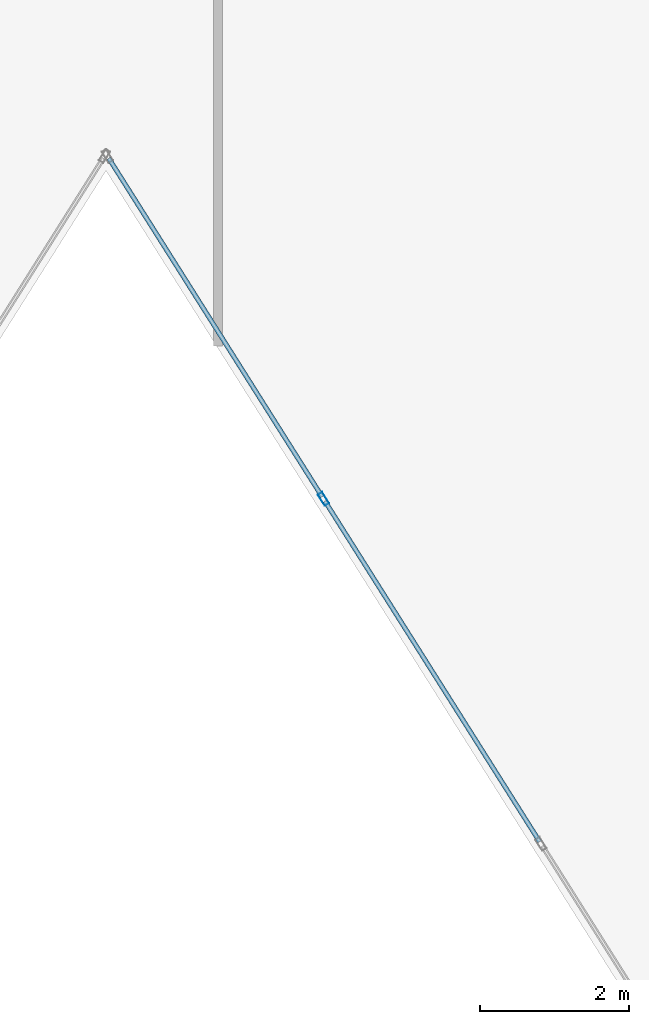
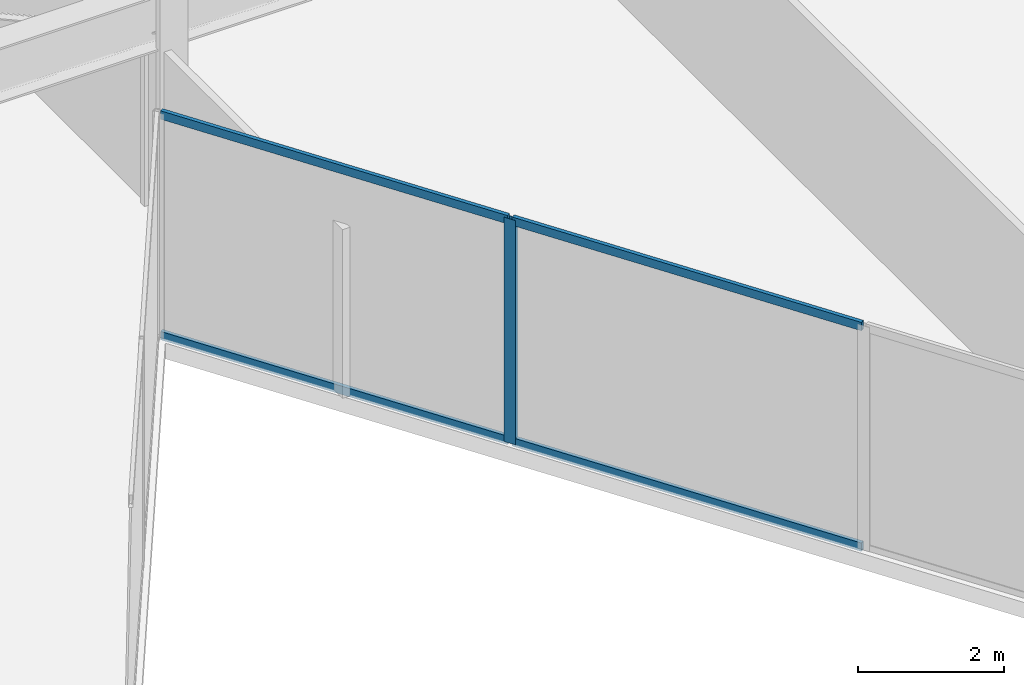
# One storey, part 15 of 24: 5 members, 1 element without a shape of its own.
"""IFC4 building model written with IfcOpenShell, lengths in metres."""

import ifcopenshell
import ifcopenshell.guid

model = None  # the IFC model being written
_history = None  # IfcOwnerHistory: only IFC2X3 demands one
_inside = {}  # id of a spatial element -> (the spatial element, [elements in it])
_under = {}  # id of a project, library or spatial element -> (it, [spatial elements below it])
_declared = {}  # id of a project -> (the project, [libraries it declares])
_typed = {}  # id of a type object -> (the type object, [elements of that type])
_made_of = {}  # id of a material, layer set ... -> (it, [elements and type objects made of it])


def new_model(schema):
    """Start an empty IFC model of exactly this schema.

    Asked for "IFC4X3", IfcOpenShell would pick the latest addendum, in which some entities
    have other attributes; the version numbers below select the first issue.
    IFC2X3 requires an IfcOwnerHistory on every rooted entity: one is made here for all.
    """
    global model, _history
    if schema == "IFC4X3":
        model = ifcopenshell.file(schema_version=(4, 3, 0, 0))
    else:
        model = ifcopenshell.file(schema=schema)
    _inside.clear()
    _under.clear()
    _declared.clear()
    _typed.clear()
    _made_of.clear()
    _history = None
    if model.schema == "IFC2X3":
        org = make("IfcOrganization", Name="unknown")
        user = make(
            "IfcPersonAndOrganization",
            ThePerson=make("IfcPerson", FamilyName="unknown"),
            TheOrganization=org,
        )
        app = make(
            "IfcApplication",
            ApplicationDeveloper=org,
            Version="unknown",
            ApplicationFullName="unknown",
            ApplicationIdentifier="unknown",
        )
        _history = make(
            "IfcOwnerHistory",
            OwningUser=user,
            OwningApplication=app,
            ChangeAction="ADDED",
            CreationDate=0,
        )
    return model


def make(cls, **values):
    """One entity of the class cls with the attributes given. An attribute that is None is left unset."""
    return model.create_entity(
        cls, **{name: value for name, value in values.items() if value is not None}
    )


def rooted(cls, **values):
    """An entity with a GlobalId (a new one), such as an element, a storey or a relation."""
    return make(cls, GlobalId=ifcopenshell.guid.new(), OwnerHistory=_history, **values)


def si_unit(unit_type, name, prefix=None):
    """IfcSIUnit, for example si_unit("LENGTHUNIT", "METRE", prefix="MILLI")."""
    return make("IfcSIUnit", UnitType=unit_type, Prefix=prefix, Name=name)


def assignment(units):
    """IfcUnitAssignment: the units of a project."""
    return None if units is None else make("IfcUnitAssignment", Units=units)


def point(xyz):
    """IfcCartesianPoint."""
    return None if xyz is None else make("IfcCartesianPoint", Coordinates=xyz)


def direction(xyz):
    """IfcDirection."""
    return None if xyz is None else make("IfcDirection", DirectionRatios=xyz)


def frame(location, z_axis=None, x_axis=None):
    """IfcAxis2Placement3D, a coordinate frame: its origin and axes. An axis left out is left unset."""
    return make(
        "IfcAxis2Placement3D",
        Location=point(location),
        Axis=direction(z_axis),
        RefDirection=direction(x_axis),
    )


def frame_2d(location, x_axis=None):
    """IfcAxis2Placement2D, a coordinate frame in the plane: its origin and x axis."""
    return make(
        "IfcAxis2Placement2D", Location=point(location), RefDirection=direction(x_axis)
    )


def origin():
    """The frame at (0, 0, 0) with its axes left unset."""
    return frame((0.0, 0.0, 0.0))


def origin_2d():
    """The frame at (0, 0) in the plane with its x axis left unset."""
    return frame_2d((0.0, 0.0))


def place(relative_to, where):
    """IfcLocalPlacement: puts the frame where relative to a parent placement (None: the world)."""
    return make(
        "IfcLocalPlacement", PlacementRelTo=relative_to, RelativePlacement=where
    )


def context(
    kind, dimensions, precision=None, world=None, true_north=None, identifier=None
):
    """IfcGeometricRepresentationContext, for example the 3D "Model" context."""
    return make(
        "IfcGeometricRepresentationContext",
        ContextIdentifier=identifier,
        ContextType=kind,
        CoordinateSpaceDimension=dimensions,
        Precision=precision,
        WorldCoordinateSystem=world,
        TrueNorth=true_north,
    )


def subcontext(parent, identifier, kind, view, scale=None):
    """IfcGeometricRepresentationSubContext, for example "Body" below "Model"."""
    return make(
        "IfcGeometricRepresentationSubContext",
        ContextIdentifier=identifier,
        ContextType=kind,
        ParentContext=parent,
        TargetScale=scale,
        TargetView=view,
    )


def project(units=None, contexts=None):
    """IfcProject with its units and contexts."""
    return rooted(
        "IfcProject",
        Name="project",
        RepresentationContexts=contexts,
        UnitsInContext=assignment(units),
    )


def spatial(cls, under=None, at=None, **own):
    """A site, building, storey or space (cls), placed at a placement, below another one or the project."""
    s = rooted(cls, ObjectPlacement=at, **own)
    if under is not None:
        _under.setdefault(under.id(), (under, []))[1].append(s)
    return s


def profile(cls, at=None, kind="AREA", **sizes):
    """A parametric profile (cls). Its sizes go by their IFC names, for example OverallWidth=200.0."""
    return make(cls, ProfileType=kind, Position=at, **sizes)


def hollow_rectangle(**sizes):
    """IfcRectangleHollowProfileDef."""
    return profile("IfcRectangleHollowProfileDef", **sizes)


def extrude(swept, where, along, depth):
    """IfcExtrudedAreaSolid: the profile swept, set in the frame where, extruded along a direction by depth."""
    return make(
        "IfcExtrudedAreaSolid",
        SweptArea=swept,
        Position=where,
        ExtrudedDirection=direction(along),
        Depth=depth,
    )


def shape(context_of_items, identifier, shape_type, items):
    """IfcShapeRepresentation: the items that make up one representation, for example the "Body"."""
    return make(
        "IfcShapeRepresentation",
        ContextOfItems=context_of_items,
        RepresentationIdentifier=identifier,
        RepresentationType=shape_type,
        Items=items,
    )


def material(Name=None, Category=None):
    """IfcMaterial."""
    return make("IfcMaterial", Name=Name, Category=Category)


def layer(
    of_material, thickness, ventilated=None, Name=None, Category=None, Priority=None
):
    """IfcMaterialLayer: one layer of a wall or slab, of a material (None: an air gap)."""
    return make(
        "IfcMaterialLayer",
        Material=of_material,
        LayerThickness=thickness,
        IsVentilated=ventilated,
        Name=Name,
        Category=Category,
        Priority=Priority,
    )


def layer_set(layers, Name=None):
    """IfcMaterialLayerSet."""
    return make("IfcMaterialLayerSet", MaterialLayers=layers, LayerSetName=Name)


def material_profile(
    of_material, cross_section, Name=None, Category=None, Priority=None
):
    """IfcMaterialProfile: a cross section and its material."""
    return make(
        "IfcMaterialProfile",
        Name=Name,
        Material=of_material,
        Profile=cross_section,
        Priority=Priority,
        Category=Category,
    )


def profile_set(profiles, Name=None, composite=None):
    """IfcMaterialProfileSet."""
    return make(
        "IfcMaterialProfileSet",
        Name=Name,
        MaterialProfiles=profiles,
        CompositeProfile=composite,
    )


def made_of(thing, what):
    """Note that an element or type object is made of a material, layer set ...; save() writes the relation."""
    if what is not None:
        _made_of.setdefault(what.id(), (what, []))[1].append(thing)
    return thing


def type_object(cls, material=None, **own):
    """A type object (cls), such as IfcWallType, which elements share."""
    return made_of(rooted(cls, **own), material)


def element(
    cls,
    number,
    at=None,
    inside=None,
    cuts=None,
    type_object=None,
    material=None,
    context=None,
    identifier="Body",
    shape_type=None,
    held_by="IfcProductDefinitionShape",
    body=None,
    shapes=None,
    **own,
):
    """One element of the class cls, such as IfcWall. Its Tag is "e" and its number.

    at: its placement. inside: the storey or other place that contains it. cuts: it is an
    opening in that element (IfcRelVoidsElement). A single representation is given by context,
    identifier, shape_type and body (its items); several are given by shapes. held_by: the class
    of the entity that holds the representations. save() writes the other relations.
    """
    e = rooted(cls, Tag="e%d" % number, ObjectPlacement=at, **own)
    if body is not None:
        shapes = [shape(context, identifier, shape_type, body)]
    if shapes is not None:
        e.Representation = make(held_by, Representations=shapes)
    if inside is not None:
        _inside.setdefault(inside.id(), (inside, []))[1].append(e)
    if cuts is not None:
        rooted(
            "IfcRelVoidsElement", RelatingBuildingElement=cuts, RelatedOpeningElement=e
        )
    if type_object is not None:
        _typed.setdefault(type_object.id(), (type_object, []))[1].append(e)
    return made_of(e, material)


def aggregate(whole, parts):
    """IfcRelAggregates: a whole, such as a stair, and the parts it consists of."""
    return rooted("IfcRelAggregates", RelatingObject=whole, RelatedObjects=parts)


def save(model, path):
    """Write the relations noted so far, then the file.

    IfcRelAggregates (storeys below a building ...), IfcRelContainedInSpatialStructure (elements
    in a storey), IfcRelDefinesByType, IfcRelAssociatesMaterial and IfcRelDeclares: one each for
    every whole, place, type object, material and project.
    """
    for whole, parts in _under.values():
        aggregate(whole, parts)
    for where, things in _inside.values():
        rooted(
            "IfcRelContainedInSpatialStructure",
            RelatedElements=things,
            RelatingStructure=where,
        )
    for kind, things in _typed.values():
        rooted("IfcRelDefinesByType", RelatedObjects=things, RelatingType=kind)
    for what, things in _made_of.values():
        rooted("IfcRelAssociatesMaterial", RelatedObjects=things, RelatingMaterial=what)
    for by, libraries in _declared.values():
        rooted("IfcRelDeclares", RelatingContext=by, RelatedDefinitions=libraries)
    model.write(path)


model = new_model("IFC4")

# Units and contexts
model_context = context("Model", 3, precision=1e-05, world=origin(), true_north=direction((0.0, 1.0)))
body_context = subcontext(model_context, "Body", "Model", "MODEL_VIEW")
ifc_project = project(units=[si_unit("LENGTHUNIT", "METRE"), si_unit("AREAUNIT", "SQUARE_METRE"), si_unit("VOLUMEUNIT", "CUBIC_METRE"), si_unit("PLANEANGLEUNIT", "RADIAN"), si_unit("MASSUNIT", "GRAM", prefix="KILO")], contexts=[model_context])

# Site, building, storey
site_placement = place(None, origin())
site = spatial("IfcSite", under=ifc_project, at=site_placement, CompositionType="ELEMENT")
building_placement = place(site_placement, origin())
building = spatial("IfcBuilding", under=site, at=building_placement, Name="Kravanh Interchange Tower", CompositionType="ELEMENT")
storey_placement = place(building_placement, frame((0.0, 0.0, 45.5)))
storey = spatial("IfcBuildingStorey", under=building, at=storey_placement, Name="L10", CompositionType="ELEMENT", Elevation=45.5)

# Curtain wall, members
ifc_material_1 = material(Name="Anodised Bronze Aluminium", Category="aluminium")
ifc_layer = layer(ifc_material_1, 0.179931640625)
ifc_layer_set = layer_set([ifc_layer], Name="Unitised Curtain Wall System CW-Z1 Lower Office")
curtain_wall_type = type_object("IfcCurtainWallType", Name="Unitised Curtain Wall System CW-Z1 Lower Office", PredefinedType="NOTDEFINED", material=ifc_layer_set)
curtain_wall_placement = place(storey_placement, origin())
curtain_wall = element("IfcCurtainWall", 1, at=curtain_wall_placement, inside=storey, type_object=curtain_wall_type, Name="L10 Unitised Curtain Wall CW-L10-04", PredefinedType="NOTDEFINED")
ifc_material_2 = material(Name="Anodised Bronze Aluminium", Category="aluminium")
ifc_material_profile_1 = material_profile(ifc_material_2, hollow_rectangle(XDim=0.070068359375, YDim=0.179931640625, WallThickness=0.00390625, at=origin_2d()), Name="ALU70X180X4")
ifc_profile_set_1 = profile_set([ifc_material_profile_1], Name="Anodised Bronze Aluminium")
member_type_1 = type_object("IfcMemberType", Name="Curtain Wall Mullion ALU70X180X4 Bronze", PredefinedType="MULLION", material=ifc_profile_set_1)
member_1_placement = place(storey_placement, frame((39.913330078125, 19.60400390625, 0.0), z_axis=(0.0, 0.0, 1.0), x_axis=(-0.845925530786, -0.53330103728, 0.0)))
member_1 = element("IfcMember", 2, at=member_1_placement, type_object=member_type_1, Name="CW-Z1 mullion 5", PredefinedType="MULLION", context=body_context, shape_type="SweptSolid", body=[
    extrude(hollow_rectangle(XDim=0.070068359375, YDim=0.179931640625, WallThickness=0.00390625, at=origin_2d()), origin(), (0.0, 0.0, 1.0), 3.739990234375),
])
ifc_material_3 = material(Name="Anodised Bronze Aluminium", Category="aluminium")
ifc_material_profile_2 = material_profile(ifc_material_3, hollow_rectangle(XDim=0.06005859375, YDim=0.139892578125, WallThickness=0.00390625, at=origin_2d()), Name="ALU60X140X4")
ifc_profile_set_2 = profile_set([ifc_material_profile_2], Name="Anodised Bronze Aluminium")
member_type_2 = type_object("IfcMemberType", Name="Curtain Wall Transom ALU60X140X4 Bronze", PredefinedType="USERDEFINED", material=ifc_profile_set_2)
member_2_placement = place(storey_placement, frame((42.807861328125, 15.0126953125, 0.030029296875), z_axis=(-0.533311487456, 0.84591894254, 0.0), x_axis=(-0.84591894254, -0.533311487456, 0.0)))
member_2 = element("IfcMember", 3, at=member_2_placement, type_object=member_type_2, Name="CW-Z1 transom 4.1", ObjectType="TRANSOM", PredefinedType="USERDEFINED", context=body_context, shape_type="SweptSolid", body=[
    extrude(hollow_rectangle(XDim=0.06005859375, YDim=0.139892578125, WallThickness=0.00390625, at=origin_2d()), origin(), (0.0, 0.0, 1.0), 5.392578125),
])
member_3_placement = place(storey_placement, frame((42.807861328125, 15.0126953125, 3.7099609375), z_axis=(-0.533311487456, 0.84591894254, 0.0), x_axis=(-0.84591894254, -0.533311487456, 0.0)))
member_3 = element("IfcMember", 4, at=member_3_placement, type_object=member_type_2, Name="CW-Z1 transom 4.2", ObjectType="TRANSOM", PredefinedType="USERDEFINED", context=body_context, shape_type="SweptSolid", body=[
    extrude(hollow_rectangle(XDim=0.06005859375, YDim=0.139892578125, WallThickness=0.00390625, at=origin_2d()), origin(), (0.0, 0.0, 1.0), 5.392578125),
])
member_4_placement = place(storey_placement, frame((39.89453125, 19.633544921875, 0.030029296875), z_axis=(-0.533288163518, 0.845933646719, 0.0), x_axis=(-0.845933646719, -0.533288163518, 0.0)))
member_4 = element("IfcMember", 5, at=member_4_placement, type_object=member_type_2, Name="CW-Z1 transom 5.1", ObjectType="TRANSOM", PredefinedType="USERDEFINED", context=body_context, shape_type="SweptSolid", body=[
    extrude(hollow_rectangle(XDim=0.06005859375, YDim=0.139892578125, WallThickness=0.00390625, at=origin_2d()), origin(), (0.0, 0.0, 1.0), 5.357666015625),
])
member_5_placement = place(storey_placement, frame((39.89453125, 19.633544921875, 3.7099609375), z_axis=(-0.533288163518, 0.845933646719, 0.0), x_axis=(-0.845933646719, -0.533288163518, 0.0)))
member_5 = element("IfcMember", 6, at=member_5_placement, type_object=member_type_2, Name="CW-Z1 transom 5.2", ObjectType="TRANSOM", PredefinedType="USERDEFINED", context=body_context, shape_type="SweptSolid", body=[
    extrude(hollow_rectangle(XDim=0.06005859375, YDim=0.139892578125, WallThickness=0.00390625, at=origin_2d()), origin(), (0.0, 0.0, 1.0), 5.357666015625),
])
aggregate(curtain_wall, [member_1, member_2, member_3, member_4, member_5])

save(model, "model.ifc")
